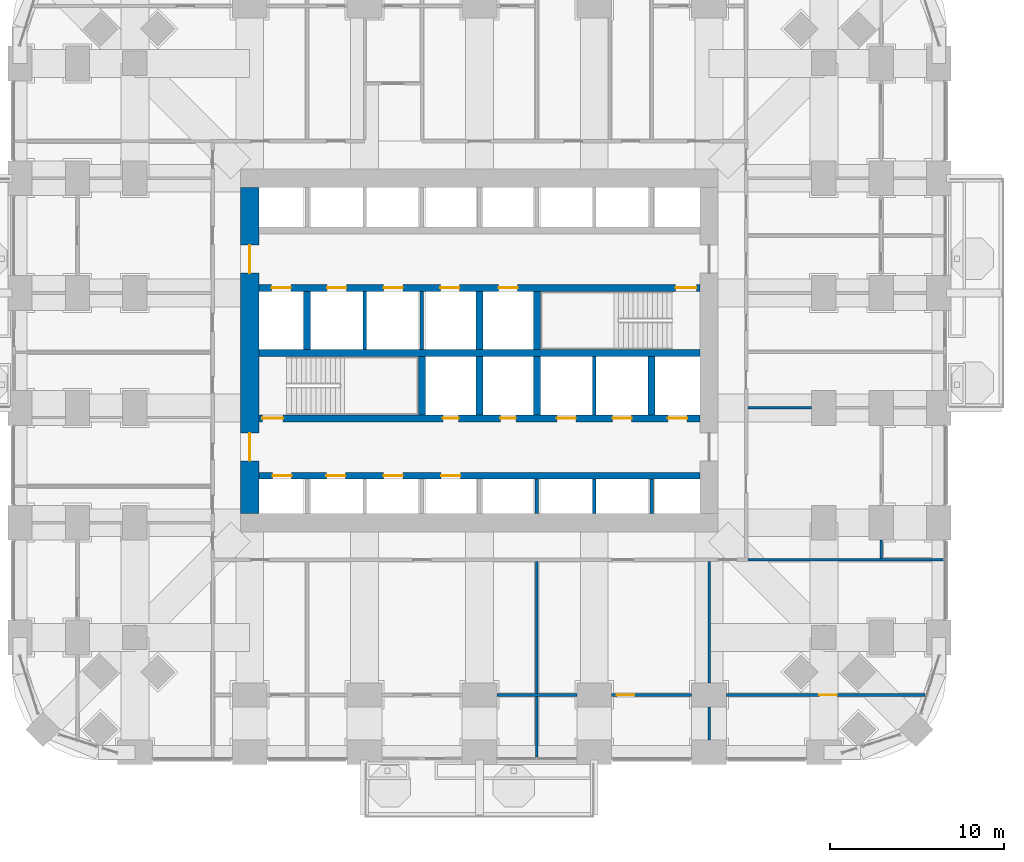
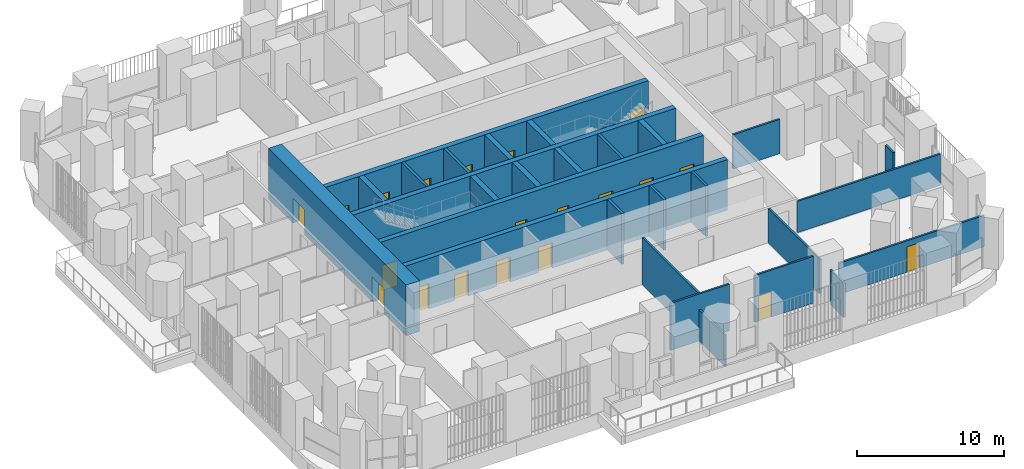
# One storey, part 17 of 25: 28 walls, 20 doors, 20 openings.
"""IFC4 building model written with IfcOpenShell, lengths in metres."""

from ifc_helpers import new_model, si_unit, direction, frame, frame_2d, origin, place, context, subcontext, project, spatial, rectangle, extrude, material, layer, layer_set, type_object, element, fill, save


model = new_model("IFC4")

# Units and contexts
model_context = context("Model", 3, precision=1e-05, world=origin(), true_north=direction((0.0, 1.0)))
body_context = subcontext(model_context, "Body", "Model", "MODEL_VIEW")
ifc_project = project(units=[si_unit("LENGTHUNIT", "METRE"), si_unit("AREAUNIT", "SQUARE_METRE"), si_unit("VOLUMEUNIT", "CUBIC_METRE"), si_unit("PLANEANGLEUNIT", "RADIAN"), si_unit("MASSUNIT", "GRAM", prefix="KILO")], contexts=[model_context])

# Site, building, storey
site_placement = place(None, origin())
site = spatial("IfcSite", under=ifc_project, at=site_placement, CompositionType="ELEMENT")
building_placement = place(site_placement, origin())
building = spatial("IfcBuilding", under=site, at=building_placement, Name="Cobogo Forest Laboratory Tower", CompositionType="ELEMENT")
storey_placement = place(building_placement, frame((0.0, 0.0, 67.5)))
storey = spatial("IfcBuildingStorey", under=building, at=storey_placement, Name="L15", CompositionType="ELEMENT", Elevation=67.5)

# Wall, openings, doors
ifc_material_1 = material(Name="Concrete HA-50 (C50/60)", Category="concrete")
ifc_layer_1 = layer(ifc_material_1, 0.39990234375)
ifc_layer_set_1 = layer_set([ifc_layer_1], Name="CI400 core inner wall 400")
wall_type_1 = type_object("IfcWallType", Name="CI400 core inner wall 400", PredefinedType="SHEAR", material=ifc_layer_set_1)
wall_1_placement = place(storey_placement, frame((13.72509765625, 15.89990234375, 0.0), z_axis=(0.0, 0.0, 1.0), x_axis=(1.0, 0.0, 0.0)))
wall_1 = element("IfcWall", 1, at=wall_1_placement, inside=storey, type_object=wall_type_1, Name="Core wall CI-15.9 L15", PredefinedType="SHEAR", context=body_context, shape_type="SweptSolid", body=[
    extrude(rectangle(XDim=25.349853515625, YDim=0.39990234375, at=frame_2d((12.6748046875, 0.0))), origin(), (0.0, 0.0, 1.0), 4.199951171875),
])
opening_1_placement = place(wall_1_placement, frame((0.78759765625, 0.0, 0.0)))
opening_1 = element("IfcOpeningElement", 2, at=opening_1_placement, cuts=wall_1, Name="Opening L15-LD-LA1", PredefinedType="OPENING", context=body_context, shape_type="SweptSolid", body=[
    extrude(rectangle(XDim=1.10009765625, YDim=2.10009765625, at=frame_2d((0.550048828125, 1.050048828125))), frame((0.0, 0.2099609375, 0.0), z_axis=(0.0, -1.0, 0.0), x_axis=(1.0, 0.0, 0.0)), (0.0, 0.0, 1.0), 0.419921875),
])
opening_2_placement = place(wall_1_placement, frame((3.875, 0.0, 0.0)))
opening_2 = element("IfcOpeningElement", 3, at=opening_2_placement, cuts=wall_1, Name="Opening L15-LD-LA2", PredefinedType="OPENING", context=body_context, shape_type="SweptSolid", body=[
    extrude(rectangle(XDim=1.10009765625, YDim=2.10009765625, at=frame_2d((0.550048828125, 1.050048828125))), frame((0.0, 0.2099609375, 0.0), z_axis=(0.0, -1.0, 0.0), x_axis=(1.0, 0.0, 0.0)), (0.0, 0.0, 1.0), 0.419921875),
])
opening_3_placement = place(wall_1_placement, frame((7.175048828125, 0.0, 0.0)))
opening_3 = element("IfcOpeningElement", 4, at=opening_3_placement, cuts=wall_1, Name="Opening L15-LD-LA3", PredefinedType="OPENING", context=body_context, shape_type="SweptSolid", body=[
    extrude(rectangle(XDim=1.10009765625, YDim=2.10009765625, at=frame_2d((0.550048828125, 1.050048828125))), frame((0.0, 0.2099609375, 0.0), z_axis=(0.0, -1.0, 0.0), x_axis=(1.0, 0.0, 0.0)), (0.0, 0.0, 1.0), 0.419921875),
])
opening_4_placement = place(wall_1_placement, frame((10.47509765625, 0.0, 0.0)))
opening_4 = element("IfcOpeningElement", 5, at=opening_4_placement, cuts=wall_1, Name="Opening L15-LD-LA4", PredefinedType="OPENING", context=body_context, shape_type="SweptSolid", body=[
    extrude(rectangle(XDim=1.10009765625, YDim=2.10009765625, at=frame_2d((0.550048828125, 1.050048828125))), frame((0.0, 0.2099609375, 0.0), z_axis=(0.0, -1.0, 0.0), x_axis=(1.0, 0.0, 0.0)), (0.0, 0.0, 1.0), 0.419921875),
])
ifc_material_2 = material(Name="Stainless steel lift door", Category="steel")
door_type_1 = type_object("IfcDoorType", Name="LD lift landing door 1100", OperationType="DOUBLE_DOOR_SLIDING", PredefinedType="DOOR", material=ifc_material_2)
door_1_placement = place(opening_1_placement, origin())
door_1 = element("IfcDoor", 6, at=door_1_placement, inside=storey, type_object=door_type_1, Name="Lift landing door LA1 L15", OperationType="DOUBLE_DOOR_SLIDING", OverallHeight=2.10009765625, OverallWidth=1.10009765625, PredefinedType="DOOR", context=body_context, shape_type="SweptSolid", body=[
    extrude(rectangle(XDim=1.10009765625, YDim=2.10009765625, at=frame_2d((0.550048828125, 1.050048828125))), frame((0.0, 0.02490234375, 0.0), z_axis=(0.0, -1.0, 0.0), x_axis=(1.0, 0.0, 0.0)), (0.0, 0.0, 1.0), 0.050048828125),
])
fill(opening_1, door_1)
door_2_placement = place(opening_2_placement, origin())
door_2 = element("IfcDoor", 7, at=door_2_placement, inside=storey, type_object=door_type_1, Name="Lift landing door LA2 L15", OperationType="DOUBLE_DOOR_SLIDING", OverallHeight=2.10009765625, OverallWidth=1.10009765625, PredefinedType="DOOR", context=body_context, shape_type="SweptSolid", body=[
    extrude(rectangle(XDim=1.10009765625, YDim=2.10009765625, at=frame_2d((0.550048828125, 1.050048828125))), frame((0.0, 0.02490234375, 0.0), z_axis=(0.0, -1.0, 0.0), x_axis=(1.0, 0.0, 0.0)), (0.0, 0.0, 1.0), 0.050048828125),
])
fill(opening_2, door_2)
door_3_placement = place(opening_3_placement, origin())
door_3 = element("IfcDoor", 8, at=door_3_placement, inside=storey, type_object=door_type_1, Name="Lift landing door LA3 L15", OperationType="DOUBLE_DOOR_SLIDING", OverallHeight=2.10009765625, OverallWidth=1.10009765625, PredefinedType="DOOR", context=body_context, shape_type="SweptSolid", body=[
    extrude(rectangle(XDim=1.10009765625, YDim=2.10009765625, at=frame_2d((0.550048828125, 1.050048828125))), frame((0.0, 0.02490234375, 0.0), z_axis=(0.0, -1.0, 0.0), x_axis=(1.0, 0.0, 0.0)), (0.0, 0.0, 1.0), 0.050048828125),
])
fill(opening_3, door_3)
door_4_placement = place(opening_4_placement, origin())
door_4 = element("IfcDoor", 9, at=door_4_placement, inside=storey, type_object=door_type_1, Name="Lift landing door LA4 L15", OperationType="DOUBLE_DOOR_SLIDING", OverallHeight=2.10009765625, OverallWidth=1.10009765625, PredefinedType="DOOR", context=body_context, shape_type="SweptSolid", body=[
    extrude(rectangle(XDim=1.10009765625, YDim=2.10009765625, at=frame_2d((0.550048828125, 1.050048828125))), frame((0.0, 0.02490234375, 0.0), z_axis=(0.0, -1.0, 0.0), x_axis=(1.0, 0.0, 0.0)), (0.0, 0.0, 1.0), 0.050048828125),
])
fill(opening_4, door_4)

wall_2_placement = place(storey_placement, frame((13.72509765625, 19.199951171875, 0.0), z_axis=(0.0, 0.0, 1.0), x_axis=(1.0, 0.0, 0.0)))
wall_2 = element("IfcWall", 10, at=wall_2_placement, inside=storey, type_object=wall_type_1, Name="Core wall CI-19.2 L15", PredefinedType="SHEAR", context=body_context, shape_type="SweptSolid", body=[
    extrude(rectangle(XDim=25.349853515625, YDim=0.39990234375, at=frame_2d((12.6748046875, 0.0))), origin(), (0.0, 0.0, 1.0), 4.199951171875),
])
opening_5_placement = place(wall_2_placement, frame((10.574951171875, 0.0, 0.0)))
opening_5 = element("IfcOpeningElement", 11, at=opening_5_placement, cuts=wall_2, Name="Opening L15-D19", PredefinedType="OPENING", context=body_context, shape_type="SweptSolid", body=[
    extrude(rectangle(XDim=0.89990234375, YDim=2.10009765625, at=frame_2d((0.449951171875, 1.050048828125))), frame((0.0, 0.2099609375, 0.0), z_axis=(0.0, -1.0, 0.0), x_axis=(1.0, 0.0, 0.0)), (0.0, 0.0, 1.0), 0.419921875),
])
opening_6_placement = place(wall_2_placement, frame((13.875, 0.0, 0.0)))
opening_6 = element("IfcOpeningElement", 12, at=opening_6_placement, cuts=wall_2, Name="Opening L15-D20", PredefinedType="OPENING", context=body_context, shape_type="SweptSolid", body=[
    extrude(rectangle(XDim=0.89990234375, YDim=2.10009765625, at=frame_2d((0.449951171875, 1.050048828125))), frame((0.0, 0.2099609375, 0.0), z_axis=(0.0, -1.0, 0.0), x_axis=(1.0, 0.0, 0.0)), (0.0, 0.0, 1.0), 0.419921875),
])
opening_7_placement = place(wall_2_placement, frame((0.199951171875, 0.0, 0.0)))
opening_7 = element("IfcOpeningElement", 13, at=opening_7_placement, cuts=wall_2, Name="Opening L15-D18", PredefinedType="OPENING", context=body_context, shape_type="SweptSolid", body=[
    extrude(rectangle(XDim=1.199951171875, YDim=2.10009765625, at=frame_2d((0.60009765625, 1.050048828125))), frame((0.0, 0.2099609375, 0.0), z_axis=(0.0, -1.0, 0.0), x_axis=(1.0, 0.0, 0.0)), (0.0, 0.0, 1.0), 0.419921875),
])
opening_8_placement = place(wall_2_placement, frame((23.512451171875, 0.0, 0.0)))
opening_8 = element("IfcOpeningElement", 14, at=opening_8_placement, cuts=wall_2, Name="Opening L15-LD-FL2", PredefinedType="OPENING", context=body_context, shape_type="SweptSolid", body=[
    extrude(rectangle(XDim=1.10009765625, YDim=2.10009765625, at=frame_2d((0.550048828125, 1.050048828125))), frame((0.0, 0.2099609375, 0.0), z_axis=(0.0, -1.0, 0.0), x_axis=(1.0, 0.0, 0.0)), (0.0, 0.0, 1.0), 0.419921875),
])
opening_9_placement = place(wall_2_placement, frame((17.125, 0.0, 0.0)))
opening_9 = element("IfcOpeningElement", 15, at=opening_9_placement, cuts=wall_2, Name="Opening L15-LD-LS1", PredefinedType="OPENING", context=body_context, shape_type="SweptSolid", body=[
    extrude(rectangle(XDim=1.10009765625, YDim=2.10009765625, at=frame_2d((0.550048828125, 1.050048828125))), frame((0.0, 0.2099609375, 0.0), z_axis=(0.0, -1.0, 0.0), x_axis=(1.0, 0.0, 0.0)), (0.0, 0.0, 1.0), 0.419921875),
])
opening_10_placement = place(wall_2_placement, frame((20.324951171875, 0.0, 0.0)))
opening_10 = element("IfcOpeningElement", 16, at=opening_10_placement, cuts=wall_2, Name="Opening L15-LD-LS2", PredefinedType="OPENING", context=body_context, shape_type="SweptSolid", body=[
    extrude(rectangle(XDim=1.10009765625, YDim=2.10009765625, at=frame_2d((0.550048828125, 1.050048828125))), frame((0.0, 0.2099609375, 0.0), z_axis=(0.0, -1.0, 0.0), x_axis=(1.0, 0.0, 0.0)), (0.0, 0.0, 1.0), 0.419921875),
])
ifc_material_3 = material(Name="Steel fire door", Category="steel")
door_type_2 = type_object("IfcDoorType", Name="DS1 protected stair door 1200 EI2 60", OperationType="SINGLE_SWING_LEFT", PredefinedType="DOOR", material=ifc_material_3)
door_5_placement = place(opening_7_placement, origin())
door_5 = element("IfcDoor", 17, at=door_5_placement, inside=storey, type_object=door_type_2, Name="Door L15-ST1", OperationType="SINGLE_SWING_LEFT", OverallHeight=2.10009765625, OverallWidth=1.199951171875, PredefinedType="DOOR", context=body_context, shape_type="SweptSolid", body=[
    extrude(rectangle(XDim=1.199951171875, YDim=2.10009765625, at=frame_2d((0.60009765625, 1.050048828125))), frame((0.0, 0.02490234375, 0.0), z_axis=(0.0, -1.0, 0.0), x_axis=(1.0, 0.0, 0.0)), (0.0, 0.0, 1.0), 0.050048828125),
])
fill(opening_7, door_5)
door_type_3 = type_object("IfcDoorType", Name="FD4 riser access door 900 EI2 60", OperationType="SINGLE_SWING_LEFT", PredefinedType="DOOR", material=ifc_material_3)
door_6_placement = place(opening_5_placement, origin())
door_6 = element("IfcDoor", 18, at=door_6_placement, inside=storey, type_object=door_type_3, Name="Door L15-R1", OperationType="SINGLE_SWING_LEFT", OverallHeight=2.10009765625, OverallWidth=0.89990234375, PredefinedType="DOOR", context=body_context, shape_type="SweptSolid", body=[
    extrude(rectangle(XDim=0.89990234375, YDim=2.10009765625, at=frame_2d((0.449951171875, 1.050048828125))), frame((0.0, 0.02490234375, 0.0), z_axis=(0.0, -1.0, 0.0), x_axis=(1.0, 0.0, 0.0)), (0.0, 0.0, 1.0), 0.050048828125),
])
fill(opening_5, door_6)
door_7_placement = place(opening_6_placement, origin())
door_7 = element("IfcDoor", 19, at=door_7_placement, inside=storey, type_object=door_type_3, Name="Door L15-R2", OperationType="SINGLE_SWING_RIGHT", OverallHeight=2.10009765625, OverallWidth=0.89990234375, PredefinedType="DOOR", context=body_context, shape_type="SweptSolid", body=[
    extrude(rectangle(XDim=0.89990234375, YDim=2.10009765625, at=frame_2d((0.449951171875, 1.050048828125))), frame((0.0, 0.02490234375, 0.0), z_axis=(0.0, -1.0, 0.0), x_axis=(1.0, 0.0, 0.0)), (0.0, 0.0, 1.0), 0.050048828125),
])
fill(opening_6, door_7)
door_8_placement = place(opening_8_placement, origin())
door_8 = element("IfcDoor", 20, at=door_8_placement, inside=storey, type_object=door_type_1, Name="Lift landing door FL2 L15", OperationType="DOUBLE_DOOR_SLIDING", OverallHeight=2.10009765625, OverallWidth=1.10009765625, PredefinedType="DOOR", context=body_context, shape_type="SweptSolid", body=[
    extrude(rectangle(XDim=1.10009765625, YDim=2.10009765625, at=frame_2d((0.550048828125, 1.050048828125))), frame((0.0, 0.02490234375, 0.0), z_axis=(0.0, -1.0, 0.0), x_axis=(1.0, 0.0, 0.0)), (0.0, 0.0, 1.0), 0.050048828125),
])
fill(opening_8, door_8)
door_9_placement = place(opening_9_placement, origin())
door_9 = element("IfcDoor", 21, at=door_9_placement, inside=storey, type_object=door_type_1, Name="Lift landing door LS1 L15", OperationType="DOUBLE_DOOR_SLIDING", OverallHeight=2.10009765625, OverallWidth=1.10009765625, PredefinedType="DOOR", context=body_context, shape_type="SweptSolid", body=[
    extrude(rectangle(XDim=1.10009765625, YDim=2.10009765625, at=frame_2d((0.550048828125, 1.050048828125))), frame((0.0, 0.02490234375, 0.0), z_axis=(0.0, -1.0, 0.0), x_axis=(1.0, 0.0, 0.0)), (0.0, 0.0, 1.0), 0.050048828125),
])
fill(opening_9, door_9)
door_10_placement = place(opening_10_placement, origin())
door_10 = element("IfcDoor", 22, at=door_10_placement, inside=storey, type_object=door_type_1, Name="Lift landing door LS2 L15", OperationType="DOUBLE_DOOR_SLIDING", OverallHeight=2.10009765625, OverallWidth=1.10009765625, PredefinedType="DOOR", context=body_context, shape_type="SweptSolid", body=[
    extrude(rectangle(XDim=1.10009765625, YDim=2.10009765625, at=frame_2d((0.550048828125, 1.050048828125))), frame((0.0, 0.02490234375, 0.0), z_axis=(0.0, -1.0, 0.0), x_axis=(1.0, 0.0, 0.0)), (0.0, 0.0, 1.0), 0.050048828125),
])
fill(opening_10, door_10)

# Wall
wall_3_placement = place(storey_placement, frame((13.72509765625, 22.949951171875, 0.0), z_axis=(0.0, 0.0, 1.0), x_axis=(1.0, 0.0, 0.0)))
element("IfcWall", 23, at=wall_3_placement, inside=storey, type_object=wall_type_1, Name="Core wall CI-22.95 L15", PredefinedType="SHEAR", context=body_context, shape_type="SweptSolid", body=[
    extrude(rectangle(XDim=25.349853515625, YDim=0.39990234375, at=frame_2d((12.6748046875, 0.0))), origin(), (0.0, 0.0, 1.0), 4.199951171875),
])

# Wall, openings, doors
wall_4_placement = place(storey_placement, frame((13.72509765625, 26.699951171875, 0.0), z_axis=(0.0, 0.0, 1.0), x_axis=(1.0, 0.0, 0.0)))
wall_4 = element("IfcWall", 24, at=wall_4_placement, inside=storey, type_object=wall_type_1, Name="Core wall CI-26.7 L15", PredefinedType="SHEAR", context=body_context, shape_type="SweptSolid", body=[
    extrude(rectangle(XDim=25.349853515625, YDim=0.39990234375, at=frame_2d((12.6748046875, 0.0))), origin(), (0.0, 0.0, 1.0), 4.199951171875),
])
opening_11_placement = place(wall_4_placement, frame((23.949951171875, 0.0, 0.0)))
opening_11 = element("IfcOpeningElement", 25, at=opening_11_placement, cuts=wall_4, Name="Opening L15-D27", PredefinedType="OPENING", context=body_context, shape_type="SweptSolid", body=[
    extrude(rectangle(XDim=1.199951171875, YDim=2.10009765625, at=frame_2d((0.60009765625, 1.050048828125))), frame((0.0, 0.2099609375, 0.0), z_axis=(0.0, -1.0, 0.0), x_axis=(1.0, 0.0, 0.0)), (0.0, 0.0, 1.0), 0.419921875),
])
opening_12_placement = place(wall_4_placement, frame((0.737548828125, 0.0, 0.0)))
opening_12 = element("IfcOpeningElement", 26, at=opening_12_placement, cuts=wall_4, Name="Opening L15-LD-FL1", PredefinedType="OPENING", context=body_context, shape_type="SweptSolid", body=[
    extrude(rectangle(XDim=1.10009765625, YDim=2.10009765625, at=frame_2d((0.550048828125, 1.050048828125))), frame((0.0, 0.2099609375, 0.0), z_axis=(0.0, -1.0, 0.0), x_axis=(1.0, 0.0, 0.0)), (0.0, 0.0, 1.0), 0.419921875),
])
opening_13_placement = place(wall_4_placement, frame((3.925048828125, 0.0, 0.0)))
opening_13 = element("IfcOpeningElement", 27, at=opening_13_placement, cuts=wall_4, Name="Opening L15-LD-LS3", PredefinedType="OPENING", context=body_context, shape_type="SweptSolid", body=[
    extrude(rectangle(XDim=1.10009765625, YDim=2.10009765625, at=frame_2d((0.550048828125, 1.050048828125))), frame((0.0, 0.2099609375, 0.0), z_axis=(0.0, -1.0, 0.0), x_axis=(1.0, 0.0, 0.0)), (0.0, 0.0, 1.0), 0.419921875),
])
opening_14_placement = place(wall_4_placement, frame((7.175048828125, 0.0, 0.0)))
opening_14 = element("IfcOpeningElement", 28, at=opening_14_placement, cuts=wall_4, Name="Opening L15-LD-LS4", PredefinedType="OPENING", context=body_context, shape_type="SweptSolid", body=[
    extrude(rectangle(XDim=1.10009765625, YDim=2.10009765625, at=frame_2d((0.550048828125, 1.050048828125))), frame((0.0, 0.2099609375, 0.0), z_axis=(0.0, -1.0, 0.0), x_axis=(1.0, 0.0, 0.0)), (0.0, 0.0, 1.0), 0.419921875),
])
opening_15_placement = place(wall_4_placement, frame((10.425048828125, 0.0, 0.0)))
opening_15 = element("IfcOpeningElement", 29, at=opening_15_placement, cuts=wall_4, Name="Opening L15-LD-LS5", PredefinedType="OPENING", context=body_context, shape_type="SweptSolid", body=[
    extrude(rectangle(XDim=1.10009765625, YDim=2.10009765625, at=frame_2d((0.550048828125, 1.050048828125))), frame((0.0, 0.2099609375, 0.0), z_axis=(0.0, -1.0, 0.0), x_axis=(1.0, 0.0, 0.0)), (0.0, 0.0, 1.0), 0.419921875),
])
opening_16_placement = place(wall_4_placement, frame((13.77490234375, 0.0, 0.0)))
opening_16 = element("IfcOpeningElement", 30, at=opening_16_placement, cuts=wall_4, Name="Opening L15-LD-LS6", PredefinedType="OPENING", context=body_context, shape_type="SweptSolid", body=[
    extrude(rectangle(XDim=1.10009765625, YDim=2.10009765625, at=frame_2d((0.550048828125, 1.050048828125))), frame((0.0, 0.2099609375, 0.0), z_axis=(0.0, -1.0, 0.0), x_axis=(1.0, 0.0, 0.0)), (0.0, 0.0, 1.0), 0.419921875),
])
door_11_placement = place(opening_11_placement, origin())
door_11 = element("IfcDoor", 31, at=door_11_placement, inside=storey, type_object=door_type_2, Name="Door L15-ST2", OperationType="SINGLE_SWING_RIGHT", OverallHeight=2.10009765625, OverallWidth=1.199951171875, PredefinedType="DOOR", context=body_context, shape_type="SweptSolid", body=[
    extrude(rectangle(XDim=1.199951171875, YDim=2.10009765625, at=frame_2d((0.60009765625, 1.050048828125))), frame((0.0, 0.02490234375, 0.0), z_axis=(0.0, -1.0, 0.0), x_axis=(1.0, 0.0, 0.0)), (0.0, 0.0, 1.0), 0.050048828125),
])
fill(opening_11, door_11)
door_12_placement = place(opening_12_placement, origin())
door_12 = element("IfcDoor", 32, at=door_12_placement, inside=storey, type_object=door_type_1, Name="Lift landing door FL1 L15", OperationType="DOUBLE_DOOR_SLIDING", OverallHeight=2.10009765625, OverallWidth=1.10009765625, PredefinedType="DOOR", context=body_context, shape_type="SweptSolid", body=[
    extrude(rectangle(XDim=1.10009765625, YDim=2.10009765625, at=frame_2d((0.550048828125, 1.050048828125))), frame((0.0, 0.02490234375, 0.0), z_axis=(0.0, -1.0, 0.0), x_axis=(1.0, 0.0, 0.0)), (0.0, 0.0, 1.0), 0.050048828125),
])
fill(opening_12, door_12)
door_13_placement = place(opening_13_placement, origin())
door_13 = element("IfcDoor", 33, at=door_13_placement, inside=storey, type_object=door_type_1, Name="Lift landing door LS3 L15", OperationType="DOUBLE_DOOR_SLIDING", OverallHeight=2.10009765625, OverallWidth=1.10009765625, PredefinedType="DOOR", context=body_context, shape_type="SweptSolid", body=[
    extrude(rectangle(XDim=1.10009765625, YDim=2.10009765625, at=frame_2d((0.550048828125, 1.050048828125))), frame((0.0, 0.02490234375, 0.0), z_axis=(0.0, -1.0, 0.0), x_axis=(1.0, 0.0, 0.0)), (0.0, 0.0, 1.0), 0.050048828125),
])
fill(opening_13, door_13)
door_14_placement = place(opening_14_placement, origin())
door_14 = element("IfcDoor", 34, at=door_14_placement, inside=storey, type_object=door_type_1, Name="Lift landing door LS4 L15", OperationType="DOUBLE_DOOR_SLIDING", OverallHeight=2.10009765625, OverallWidth=1.10009765625, PredefinedType="DOOR", context=body_context, shape_type="SweptSolid", body=[
    extrude(rectangle(XDim=1.10009765625, YDim=2.10009765625, at=frame_2d((0.550048828125, 1.050048828125))), frame((0.0, 0.02490234375, 0.0), z_axis=(0.0, -1.0, 0.0), x_axis=(1.0, 0.0, 0.0)), (0.0, 0.0, 1.0), 0.050048828125),
])
fill(opening_14, door_14)
door_15_placement = place(opening_15_placement, origin())
door_15 = element("IfcDoor", 35, at=door_15_placement, inside=storey, type_object=door_type_1, Name="Lift landing door LS5 L15", OperationType="DOUBLE_DOOR_SLIDING", OverallHeight=2.10009765625, OverallWidth=1.10009765625, PredefinedType="DOOR", context=body_context, shape_type="SweptSolid", body=[
    extrude(rectangle(XDim=1.10009765625, YDim=2.10009765625, at=frame_2d((0.550048828125, 1.050048828125))), frame((0.0, 0.02490234375, 0.0), z_axis=(0.0, -1.0, 0.0), x_axis=(1.0, 0.0, 0.0)), (0.0, 0.0, 1.0), 0.050048828125),
])
fill(opening_15, door_15)
door_16_placement = place(opening_16_placement, origin())
door_16 = element("IfcDoor", 36, at=door_16_placement, inside=storey, type_object=door_type_1, Name="Lift landing door LS6 L15", OperationType="DOUBLE_DOOR_SLIDING", OverallHeight=2.10009765625, OverallWidth=1.10009765625, PredefinedType="DOOR", context=body_context, shape_type="SweptSolid", body=[
    extrude(rectangle(XDim=1.10009765625, YDim=2.10009765625, at=frame_2d((0.550048828125, 1.050048828125))), frame((0.0, 0.02490234375, 0.0), z_axis=(0.0, -1.0, 0.0), x_axis=(1.0, 0.0, 0.0)), (0.0, 0.0, 1.0), 0.050048828125),
])
fill(opening_16, door_16)

# Walls
for number, where, z_axis, x_axis, name in (
    (37, (23.10009765625, 19.39990234375, 0.0), (0.0, 0.0, 1.0), (0.0, 1.0, 0.0), "Core wall CX-23.1 L15"),
    (38, (26.39990234375, 19.39990234375, 0.0), (0.0, 0.0, 1.0), (0.0, 1.0, 0.0), "Core wall CX-26.4S L15"),
    (39, (29.699951171875, 19.39990234375, 0.0), (0.0, 0.0, 1.0), (0.0, 1.0, 0.0), "Core wall CX-29.7S L15"),
    (40, (36.300048828125, 19.39990234375, 0.0), (0.0, 0.0, 1.0), (0.0, 1.0, 0.0), "Core wall CX-36.3 L15"),
    (41, (16.5, 23.14990234375, 0.0), (0.0, 0.0, 1.0), (0.0, 1.0, 0.0), "Core wall CX-16.5 L15"),
    (42, (26.39990234375, 23.14990234375, 0.0), (0.0, 0.0, 1.0), (0.0, 1.0, 0.0), "Core wall CX-26.4N L15"),
    (43, (29.699951171875, 23.14990234375, 0.0), (0.0, 0.0, 1.0), (0.0, 1.0, 0.0), "Core wall CX-29.7N L15"),
):
    element("IfcWall", number, at=place(storey_placement, frame(where, z_axis=z_axis, x_axis=x_axis)), inside=storey, type_object=wall_type_1, Name=name, PredefinedType="SHEAR", context=body_context, shape_type="SweptSolid", body=[
        extrude(rectangle(XDim=3.35009765625, YDim=0.39990234375, at=frame_2d((1.675048828125, 0.0))), origin(), (0.0, 0.0, 1.0), 4.199951171875),
    ])

# Wall, openings, doors
ifc_layer_2 = layer(ifc_material_1, 1.050048828125)
ifc_layer_set_2 = layer_set([ifc_layer_2], Name="CW1050 core outer wall 1050")
wall_type_2 = type_object("IfcWallType", Name="CW1050 core outer wall 1050", PredefinedType="SHEAR", material=ifc_layer_set_2)
wall_5_placement = place(storey_placement, frame((13.199951171875, 32.47509765625, 0.0), z_axis=(0.0, 0.0, 1.0), x_axis=(0.0, -1.0, 0.0)))
wall_5 = element("IfcWall", 44, at=wall_5_placement, inside=storey, type_object=wall_type_2, Name="Core wall CO-W L15", PredefinedType="SHEAR", context=body_context, shape_type="SweptSolid", body=[
    extrude(rectangle(XDim=18.75, YDim=1.050048828125, at=frame_2d((9.375, 0.0))), origin(), (0.0, 0.0, 1.0), 4.199951171875),
])
opening_17_placement = place(wall_5_placement, frame((14.125, 0.0, 0.0)))
opening_17 = element("IfcOpeningElement", 45, at=opening_17_placement, cuts=wall_5, Name="Opening L15-D16", PredefinedType="OPENING", context=body_context, shape_type="SweptSolid", body=[
    extrude(rectangle(XDim=1.60009765625, YDim=2.10009765625, at=frame_2d((0.800048828125, 1.050048828125))), frame((0.0, 0.534912109375, 0.0), z_axis=(0.0, -1.0, 0.0), x_axis=(1.0, 0.0, 0.0)), (0.0, 0.0, 1.0), 1.070068359375),
])
opening_18_placement = place(wall_5_placement, frame((3.324951171875, 0.0, 0.0)))
opening_18 = element("IfcOpeningElement", 46, at=opening_18_placement, cuts=wall_5, Name="Opening L15-D30", PredefinedType="OPENING", context=body_context, shape_type="SweptSolid", body=[
    extrude(rectangle(XDim=1.60009765625, YDim=2.10009765625, at=frame_2d((0.800048828125, 1.050048828125))), frame((0.0, 0.534912109375, 0.0), z_axis=(0.0, -1.0, 0.0), x_axis=(1.0, 0.0, 0.0)), (0.0, 0.0, 1.0), 1.070068359375),
])
door_type_4 = type_object("IfcDoorType", Name="DS2 protected lobby door pair 1600 EI2 60", OperationType="DOUBLE_DOOR_DOUBLE_SWING", PredefinedType="DOOR", material=ifc_material_3)
door_17_placement = place(opening_17_placement, origin())
door_17 = element("IfcDoor", 47, at=door_17_placement, inside=storey, type_object=door_type_4, Name="Door L15-CO-W-S", OperationType="DOUBLE_DOOR_DOUBLE_SWING", OverallHeight=2.10009765625, OverallWidth=1.60009765625, PredefinedType="DOOR", context=body_context, shape_type="SweptSolid", body=[
    extrude(rectangle(XDim=1.60009765625, YDim=2.10009765625, at=frame_2d((0.800048828125, 1.050048828125))), frame((0.0, 0.02490234375, 0.0), z_axis=(0.0, -1.0, 0.0), x_axis=(1.0, 0.0, 0.0)), (0.0, 0.0, 1.0), 0.050048828125),
])
fill(opening_17, door_17)
door_18_placement = place(opening_18_placement, origin())
door_18 = element("IfcDoor", 48, at=door_18_placement, inside=storey, type_object=door_type_4, Name="Door L15-CO-W-N", OperationType="DOUBLE_DOOR_DOUBLE_SWING", OverallHeight=2.10009765625, OverallWidth=1.60009765625, PredefinedType="DOOR", context=body_context, shape_type="SweptSolid", body=[
    extrude(rectangle(XDim=1.60009765625, YDim=2.10009765625, at=frame_2d((0.800048828125, 1.050048828125))), frame((0.0, 0.02490234375, 0.0), z_axis=(0.0, -1.0, 0.0), x_axis=(1.0, 0.0, 0.0)), (0.0, 0.0, 1.0), 0.050048828125),
])
fill(opening_18, door_18)

# Walls
ifc_material_4 = material(Name="Gypsum board on steel studs", Category="steel")
ifc_layer_3 = layer(ifc_material_4, 0.14990234375)
ifc_layer_set_3 = layer_set([ifc_layer_3], Name="PT1 laboratory partition 150")
wall_type_3 = type_object("IfcWallType", Name="PT1 laboratory partition 150", PredefinedType="PARTITIONING", material=ifc_layer_set_3)
wall_6_placement = place(storey_placement, frame((53.070068359375, 11.074951171875, 0.0), z_axis=(0.0, 0.0, 1.0), x_axis=(-1.0, 0.0, 0.0)))
element("IfcWall", 49, at=wall_6_placement, inside=storey, type_object=wall_type_3, Name="Partition PW-SE L15", PredefinedType="PARTITIONING", context=body_context, shape_type="SweptSolid", body=[
    extrude(rectangle(XDim=11.2451171875, YDim=0.14990234375, at=frame_2d((5.62255859375, 0.0))), origin(), (0.0, 0.0, 1.0), 2.60009765625),
])
wall_7_placement = place(storey_placement, frame((27.39990234375, 3.300048828125, 0.0), z_axis=(0.0, 0.0, 1.0), x_axis=(1.0, 0.0, 0.0)))
element("IfcWall", 50, at=wall_7_placement, inside=storey, type_object=wall_type_3, Name="Partition STRIP-S-4 L15", PredefinedType="PARTITIONING", context=body_context, shape_type="SweptSolid", body=[
    extrude(rectangle(XDim=4.60009765625, YDim=0.14990234375, at=frame_2d((2.300048828125, 0.0))), origin(), (0.0, 0.0, 1.0), 3.89990234375),
])

# Wall, opening, door
wall_8_placement = place(storey_placement, frame((34.0, 3.300048828125, 0.0), z_axis=(0.0, 0.0, 1.0), x_axis=(1.0, 0.0, 0.0)))
wall_8 = element("IfcWall", 51, at=wall_8_placement, inside=storey, type_object=wall_type_3, Name="Partition STRIP-S-5 L15", PredefinedType="PARTITIONING", context=body_context, shape_type="SweptSolid", body=[
    extrude(rectangle(XDim=4.60009765625, YDim=0.14990234375, at=frame_2d((2.300048828125, 0.0))), origin(), (0.0, 0.0, 1.0), 3.89990234375),
])
opening_19_placement = place(wall_8_placement, frame((0.300048828125, 0.0, 0.0)))
opening_19 = element("IfcOpeningElement", 52, at=opening_19_placement, cuts=wall_8, Name="Opening L15-D04", PredefinedType="OPENING", context=body_context, shape_type="SweptSolid", body=[
    extrude(rectangle(XDim=1.0, YDim=2.10009765625, at=frame_2d((0.5, 1.050048828125))), frame((0.0, 0.0849609375, 0.0), z_axis=(0.0, -1.0, 0.0), x_axis=(1.0, 0.0, 0.0)), (0.0, 0.0, 1.0), 0.169921875),
])
ifc_material_5 = material(Name="Timber fire door", Category="wood")
door_type_5 = type_object("IfcDoorType", Name="FD2 fire door 1000 EI2 30", OperationType="SINGLE_SWING_LEFT", PredefinedType="DOOR", material=ifc_material_5)
door_19_placement = place(opening_19_placement, origin())
door_19 = element("IfcDoor", 53, at=door_19_placement, inside=storey, type_object=door_type_5, Name="Door L15-S3W", OperationType="SINGLE_SWING_LEFT", OverallHeight=2.10009765625, OverallWidth=1.0, PredefinedType="DOOR", context=body_context, shape_type="SweptSolid", body=[
    extrude(rectangle(XDim=1.0, YDim=2.10009765625, at=frame_2d((0.5, 1.050048828125))), frame((0.0, 0.02490234375, 0.0), z_axis=(0.0, -1.0, 0.0), x_axis=(1.0, 0.0, 0.0)), (0.0, 0.0, 1.0), 0.050048828125),
])
fill(opening_19, door_19)

wall_9_placement = place(storey_placement, frame((40.60009765625, 3.300048828125, 0.0), z_axis=(0.0, 0.0, 1.0), x_axis=(1.0, 0.0, 0.0)))
wall_9 = element("IfcWall", 54, at=wall_9_placement, inside=storey, type_object=wall_type_3, Name="Partition STRIP-S-6 L15", PredefinedType="PARTITIONING", context=body_context, shape_type="SweptSolid", body=[
    extrude(rectangle(XDim=11.423828125, YDim=0.14990234375, at=frame_2d((5.7119140625, 0.0))), origin(), (0.0, 0.0, 1.0), 2.60009765625),
])
opening_20_placement = place(wall_9_placement, frame((5.342041015625, 0.0, 0.0)))
opening_20 = element("IfcOpeningElement", 55, at=opening_20_placement, cuts=wall_9, Name="Opening L15-D05", PredefinedType="OPENING", context=body_context, shape_type="SweptSolid", body=[
    extrude(rectangle(XDim=1.0, YDim=2.10009765625, at=frame_2d((0.5, 1.050048828125))), frame((0.0, 0.0849609375, 0.0), z_axis=(0.0, -1.0, 0.0), x_axis=(1.0, 0.0, 0.0)), (0.0, 0.0, 1.0), 0.169921875),
])
door_20_placement = place(opening_20_placement, origin())
door_20 = element("IfcDoor", 56, at=door_20_placement, inside=storey, type_object=door_type_5, Name="Door L15-S4W", OperationType="SINGLE_SWING_RIGHT", OverallHeight=2.10009765625, OverallWidth=1.0, PredefinedType="DOOR", context=body_context, shape_type="SweptSolid", body=[
    extrude(rectangle(XDim=1.0, YDim=2.10009765625, at=frame_2d((0.5, 1.050048828125))), frame((0.0, 0.02490234375, 0.0), z_axis=(0.0, -1.0, 0.0), x_axis=(1.0, 0.0, 0.0)), (0.0, 0.0, 1.0), 0.050048828125),
])
fill(opening_20, door_20)

# Walls
wall_10_placement = place(storey_placement, frame((29.699951171875, -0.27001953125, 0.0), z_axis=(0.0, 0.0, 1.0), x_axis=(0.0, 1.0, 0.0)))
element("IfcWall", 57, at=wall_10_placement, inside=storey, type_object=wall_type_3, Name="Partition CUT-S29.7a-1 L15", PredefinedType="PARTITIONING", context=body_context, shape_type="SweptSolid", body=[
    extrude(rectangle(XDim=3.4951171875, YDim=0.14990234375, at=frame_2d((1.74755859375, 0.0))), origin(), (0.0, 0.0, 1.0), 2.60009765625),
])
wall_11_placement = place(storey_placement, frame((29.699951171875, 3.375, 0.0), z_axis=(0.0, 0.0, 1.0), x_axis=(0.0, 1.0, 0.0)))
element("IfcWall", 58, at=wall_11_placement, inside=storey, type_object=wall_type_3, Name="Partition CUT-S29.7b-1 L15", PredefinedType="PARTITIONING", context=body_context, shape_type="SweptSolid", body=[
    extrude(rectangle(XDim=7.60009765625, YDim=0.14990234375, at=frame_2d((3.800048828125, 0.0))), origin(), (0.0, 0.0, 1.0), 3.89990234375),
])
wall_12_placement = place(storey_placement, frame((39.60009765625, 0.699951171875, 0.0), z_axis=(0.0, 0.0, 1.0), x_axis=(0.0, 1.0, 0.0)))
element("IfcWall", 59, at=wall_12_placement, inside=storey, type_object=wall_type_3, Name="Partition CUT-S39.6a-1 L15", PredefinedType="PARTITIONING", context=body_context, shape_type="SweptSolid", body=[
    extrude(rectangle(XDim=1.900146484375, YDim=0.14990234375, at=frame_2d((0.9501953125, 0.0))), origin(), (0.0, 0.0, 1.0), 2.85009765625),
])
wall_13_placement = place(storey_placement, frame((39.60009765625, 4.0, 0.0), z_axis=(0.0, 0.0, 1.0), x_axis=(0.0, 1.0, 0.0)))
element("IfcWall", 60, at=wall_13_placement, inside=storey, type_object=wall_type_3, Name="Partition CUT-S39.6b-1 L15", PredefinedType="PARTITIONING", context=body_context, shape_type="SweptSolid", body=[
    extrude(rectangle(XDim=6.97509765625, YDim=0.14990234375, at=frame_2d((3.487548828125, 0.0))), origin(), (0.0, 0.0, 1.0), 2.85009765625),
])
wall_14_placement = place(storey_placement, frame((49.5, 11.14990234375, 0.0), z_axis=(0.0, 0.0, 1.0), x_axis=(0.0, 1.0, 0.0)))
element("IfcWall", 61, at=wall_14_placement, inside=storey, type_object=wall_type_3, Name="Partition STRIP-E-1 L15", PredefinedType="PARTITIONING", context=body_context, shape_type="SweptSolid", body=[
    extrude(rectangle(XDim=1.050048828125, YDim=0.14990234375, at=frame_2d((0.52490234375, 0.0))), origin(), (0.0, 0.0, 1.0), 3.89990234375),
])
wall_15_placement = place(storey_placement, frame((45.5, 19.800048828125, 0.0), z_axis=(0.0, 0.0, 1.0), x_axis=(-1.0, 0.0, 0.0)))
element("IfcWall", 62, at=wall_15_placement, inside=storey, type_object=wall_type_3, Name="Partition CUT-E19.8-3 L15", PredefinedType="PARTITIONING", context=body_context, shape_type="SweptSolid", body=[
    extrude(rectangle(XDim=3.675048828125, YDim=0.14990234375, at=frame_2d((1.83740234375, 0.0))), origin(), (0.0, 0.0, 1.0), 2.85009765625),
])
ifc_material_6 = material(Name="Concrete block", Category="concrete")
ifc_layer_4 = layer(ifc_material_6, 0.199951171875)
ifc_layer_set_4 = layer_set([ifc_layer_4], Name="SW200 lift shaft separator 200")
wall_type_4 = type_object("IfcWallType", Name="SW200 lift shaft separator 200", PredefinedType="PARTITIONING", material=ifc_layer_set_4)
for number, where, z_axis, x_axis, name in (
    (63, (29.699951171875, 13.72509765625, 0.0), (0.0, 0.0, 1.0), (0.0, 1.0, 0.0), "Core wall SEP-S5 L15"),
    (64, (33.0, 13.72509765625, 0.0), (0.0, 0.0, 1.0), (0.0, 1.0, 0.0), "Core wall SEP-S6 L15"),
    (65, (36.300048828125, 13.72509765625, 0.0), (0.0, 0.0, 1.0), (0.0, 1.0, 0.0), "Core wall SEP-S7 L15"),
):
    element("IfcWall", number, at=place(storey_placement, frame(where, z_axis=z_axis, x_axis=x_axis)), inside=storey, type_object=wall_type_4, Name=name, PredefinedType="PARTITIONING", context=body_context, shape_type="SweptSolid", body=[
        extrude(rectangle(XDim=1.974853515625, YDim=0.199951171875, at=frame_2d((0.9873046875, 0.0))), origin(), (0.0, 0.0, 1.0), 4.199951171875),
    ])
for number, where, z_axis, x_axis, name in (
    (66, (33.0, 19.39990234375, 0.0), (0.0, 0.0, 1.0), (0.0, 1.0, 0.0), "Core wall SEP-M33.0 L15"),
    (67, (19.800048828125, 23.14990234375, 0.0), (0.0, 0.0, 1.0), (0.0, 1.0, 0.0), "Core wall SEP-M19.8 L15"),
    (68, (23.10009765625, 23.14990234375, 0.0), (0.0, 0.0, 1.0), (0.0, 1.0, 0.0), "Core wall SEP-M23.1 L15"),
):
    element("IfcWall", number, at=place(storey_placement, frame(where, z_axis=z_axis, x_axis=x_axis)), inside=storey, type_object=wall_type_4, Name=name, PredefinedType="PARTITIONING", context=body_context, shape_type="SweptSolid", body=[
        extrude(rectangle(XDim=3.35009765625, YDim=0.199951171875, at=frame_2d((1.675048828125, 0.0))), origin(), (0.0, 0.0, 1.0), 4.199951171875),
    ])

save(model, "model.ifc")
